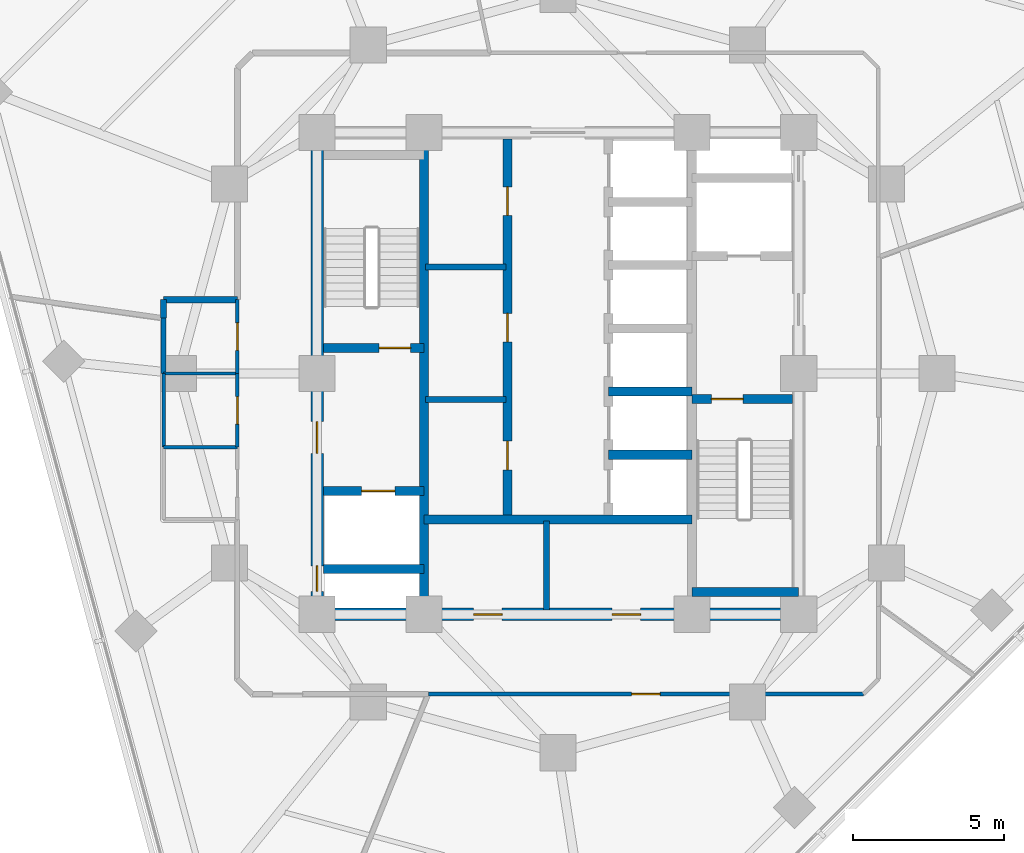
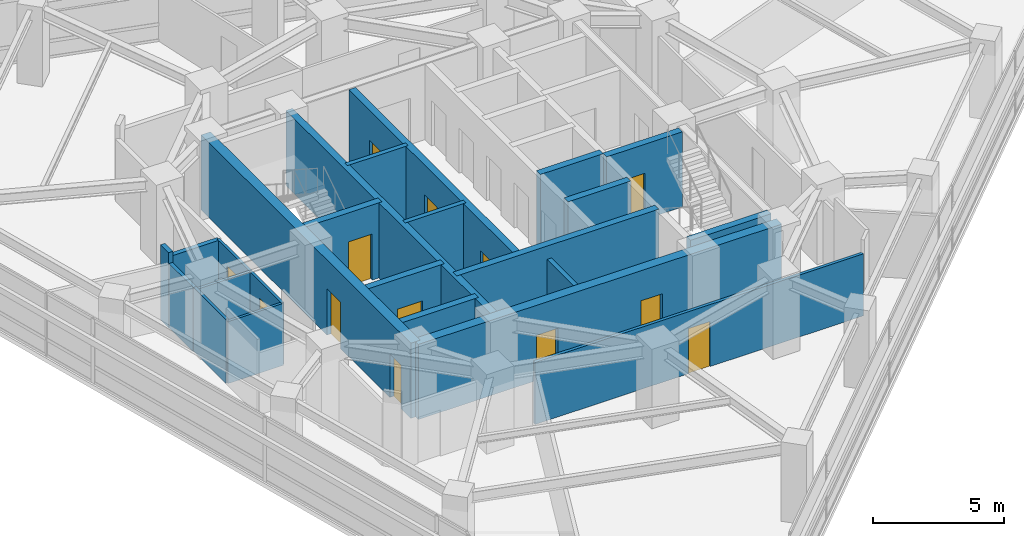
# One storey, part 7 of 13: 24 walls, 13 doors, 13 openings.
"""IFC4 building model written with IfcOpenShell, lengths in metres."""

from ifc_helpers import new_model, si_unit, direction, frame, frame_2d, origin, place, context, subcontext, project, spatial, rectangle, extrude, material, layer, layer_set, type_object, element, fill, save


model = new_model("IFC4")

# Units and contexts
model_context = context("Model", 3, precision=1e-05, world=origin(), true_north=direction((0.0, 1.0)))
body_context = subcontext(model_context, "Body", "Model", "MODEL_VIEW")
ifc_project = project(units=[si_unit("LENGTHUNIT", "METRE"), si_unit("AREAUNIT", "SQUARE_METRE"), si_unit("VOLUMEUNIT", "CUBIC_METRE"), si_unit("PLANEANGLEUNIT", "RADIAN"), si_unit("MASSUNIT", "GRAM", prefix="KILO")], contexts=[model_context])

# Site, building, storey
site_placement = place(None, origin())
site = spatial("IfcSite", under=ifc_project, at=site_placement, CompositionType="ELEMENT")
building_placement = place(site_placement, origin())
building = spatial("IfcBuilding", under=site, at=building_placement, Name="Terralouvre Media Tower", CompositionType="ELEMENT")
storey_placement = place(building_placement, frame((0.0, 0.0, 195.300048828125)))
storey = spatial("IfcBuildingStorey", under=building, at=storey_placement, Name="L50", CompositionType="ELEMENT", Elevation=195.300048828125)

# Wall
ifc_material_1 = material(Name="Concrete C50/60", Category="concrete")
ifc_layer_1 = layer(ifc_material_1, 0.300048828125, Name="Core Internal Shaft Wall CW-300")
ifc_layer_set_1 = layer_set([ifc_layer_1], Name="Concrete C50/60")
wall_type_1 = type_object("IfcWallType", Name="Core Internal Shaft Wall CW-300", PredefinedType="SHEAR", material=ifc_layer_set_1)
wall_1_placement = place(storey_placement, frame((-4.449951171875, -7.7900390625, 0.0), z_axis=(0.0, 0.0, 1.0), x_axis=(0.0, 1.0, 0.0)))
element("IfcWall", 1, at=wall_1_placement, inside=storey, type_object=wall_type_1, Name="L50 Core Shaft Wall SPW", PredefinedType="SHEAR", context=body_context, shape_type="SweptSolid", body=[
    extrude(rectangle(XDim=15.580078125, YDim=0.300048828125, at=frame_2d((7.7900390625, 0.0))), origin(), (0.0, 0.0, 1.0), 3.5),
])

# Wall, opening, door
wall_2_placement = place(storey_placement, frame((-7.7900390625, 0.85009765625, 0.0), z_axis=(0.0, 0.0, 1.0), x_axis=(1.0, 0.0, 0.0)))
wall_2 = element("IfcWall", 2, at=wall_2_placement, inside=storey, type_object=wall_type_1, Name="L50 Core Shaft Wall ST1D", PredefinedType="SHEAR", context=body_context, shape_type="SweptSolid", body=[
    extrude(rectangle(XDim=3.340087890625, YDim=0.300048828125, at=frame_2d((1.669921875, 0.0))), origin(), (0.0, 0.0, 1.0), 3.5),
])
opening_1_placement = place(wall_2_placement, frame((1.85009765625, 0.0, 0.0)))
opening_1 = element("IfcOpeningElement", 3, at=opening_1_placement, cuts=wall_2, Name="Opening FD-01-105X215", PredefinedType="OPENING", context=body_context, shape_type="SweptSolid", body=[
    extrude(rectangle(XDim=1.050048828125, YDim=2.14990234375, at=frame_2d((0.52490234375, 1.074951171875))), frame((0.0, 0.159912109375, 0.0), z_axis=(0.0, -1.0, 0.0), x_axis=(1.0, 0.0, 0.0)), (0.0, 0.0, 1.0), 0.320068359375),
])
ifc_material_2 = material(Name="Galvanised steel fire-resisting leaf", Category="steel")
door_type_1 = type_object("IfcDoorType", Name="Stair and Firefighting Lobby Fire Door FD-01 (1050x2150)", OperationType="NOTDEFINED", PredefinedType="DOOR", material=ifc_material_2)
door_1_placement = place(opening_1_placement, origin())
door_1 = element("IfcDoor", 4, at=door_1_placement, inside=storey, type_object=door_type_1, Name="L50 ST-01 Exit Stair Door", OperationType="SINGLE_SWING_LEFT", OverallHeight=2.14990234375, OverallWidth=1.050048828125, PredefinedType="DOOR", context=body_context, shape_type="SweptSolid", body=[
    extrude(rectangle(XDim=1.050048828125, YDim=2.14990234375, at=frame_2d((0.52490234375, 1.074951171875))), frame((0.0, 0.02490234375, 0.0), z_axis=(0.0, -1.0, 0.0), x_axis=(1.0, 0.0, 0.0)), (0.0, 0.0, 1.0), 0.050048828125),
])
fill(opening_1, door_1)

wall_3_placement = place(storey_placement, frame((4.449951171875, -0.85009765625, 0.0), z_axis=(0.0, 0.0, 1.0), x_axis=(1.0, 0.0, 0.0)))
wall_3 = element("IfcWall", 5, at=wall_3_placement, inside=storey, type_object=wall_type_1, Name="L50 Core Shaft Wall ST2D", PredefinedType="SHEAR", context=body_context, shape_type="SweptSolid", body=[
    extrude(rectangle(XDim=3.340087890625, YDim=0.300048828125, at=frame_2d((1.669921875, 0.0))), origin(), (0.0, 0.0, 1.0), 3.5),
])
opening_2_placement = place(wall_3_placement, frame((0.64990234375, 0.0, 0.0)))
opening_2 = element("IfcOpeningElement", 6, at=opening_2_placement, cuts=wall_3, Name="Opening FD-01-105X215", PredefinedType="OPENING", context=body_context, shape_type="SweptSolid", body=[
    extrude(rectangle(XDim=1.050048828125, YDim=2.14990234375, at=frame_2d((0.52490234375, 1.074951171875))), frame((0.0, 0.159912109375, 0.0), z_axis=(0.0, -1.0, 0.0), x_axis=(1.0, 0.0, 0.0)), (0.0, 0.0, 1.0), 0.320068359375),
])
door_2_placement = place(opening_2_placement, origin())
door_2 = element("IfcDoor", 7, at=door_2_placement, inside=storey, type_object=door_type_1, Name="L50 ST-02 Exit Stair Door", OperationType="SINGLE_SWING_RIGHT", OverallHeight=2.14990234375, OverallWidth=1.050048828125, PredefinedType="DOOR", context=body_context, shape_type="SweptSolid", body=[
    extrude(rectangle(XDim=1.050048828125, YDim=2.14990234375, at=frame_2d((0.52490234375, 1.074951171875))), frame((0.0, 0.02490234375, 0.0), z_axis=(0.0, -1.0, 0.0), x_axis=(1.0, 0.0, 0.0)), (0.0, 0.0, 1.0), 0.050048828125),
])
fill(opening_2, door_2)

# Wall
wall_4_placement = place(storey_placement, frame((4.449951171875, -7.260009765625, 0.0), z_axis=(0.0, 0.0, 1.0), x_axis=(1.0, 0.0, 0.0)))
element("IfcWall", 8, at=wall_4_placement, inside=storey, type_object=wall_type_1, Name="L50 Core Shaft Wall ST2F", PredefinedType="SHEAR", context=body_context, shape_type="SweptSolid", body=[
    extrude(rectangle(XDim=3.550048828125, YDim=0.300048828125, at=frame_2d((1.77490234375, 0.0))), origin(), (0.0, 0.0, 1.0), 3.5),
])

# Wall, opening, door
wall_5_placement = place(storey_placement, frame((-7.7900390625, -3.89990234375, 0.0), z_axis=(0.0, 0.0, 1.0), x_axis=(1.0, 0.0, 0.0)))
wall_5 = element("IfcWall", 9, at=wall_5_placement, inside=storey, type_object=wall_type_1, Name="L50 Core Shaft Wall FF1N", PredefinedType="SHEAR", context=body_context, shape_type="SweptSolid", body=[
    extrude(rectangle(XDim=3.340087890625, YDim=0.300048828125, at=frame_2d((1.669921875, 0.0))), origin(), (0.0, 0.0, 1.0), 3.5),
])
opening_3_placement = place(wall_5_placement, frame((1.27001953125, 0.0, 0.0)))
opening_3 = element("IfcOpeningElement", 10, at=opening_3_placement, cuts=wall_5, Name="Opening LD-FF", PredefinedType="OPENING", context=body_context, shape_type="SweptSolid", body=[
    extrude(rectangle(XDim=1.10009765625, YDim=2.10009765625, at=frame_2d((0.550048828125, 1.050048828125))), frame((0.0, 0.159912109375, 0.0), z_axis=(0.0, -1.0, 0.0), x_axis=(1.0, 0.0, 0.0)), (0.0, 0.0, 1.0), 0.320068359375),
])
ifc_material_3 = material(Name="Stainless steel 316 handrail and balustrade", Category="steel")
door_type_2 = type_object("IfcDoorType", Name="Firefighting Lift Sliding Landing Door LD-FF", OperationType="SLIDING_TO_LEFT", PredefinedType="DOOR", material=ifc_material_3)
door_3_placement = place(opening_3_placement, origin())
door_3 = element("IfcDoor", 11, at=door_3_placement, inside=storey, type_object=door_type_2, Name="L50 Firefighting Lift FFL-01 Landing Door", OperationType="SLIDING_TO_LEFT", OverallHeight=2.10009765625, OverallWidth=1.10009765625, PredefinedType="DOOR", context=body_context, shape_type="SweptSolid", body=[
    extrude(rectangle(XDim=1.10009765625, YDim=2.10009765625, at=frame_2d((0.550048828125, 1.050048828125))), frame((0.0, 0.02490234375, 0.0), z_axis=(0.0, -1.0, 0.0), x_axis=(1.0, 0.0, 0.0)), (0.0, 0.0, 1.0), 0.050048828125),
])
fill(opening_3, door_3)

# Walls
wall_6_placement = place(storey_placement, frame((-7.7900390625, -6.5, 0.0), z_axis=(0.0, 0.0, 1.0), x_axis=(1.0, 0.0, 0.0)))
element("IfcWall", 12, at=wall_6_placement, inside=storey, type_object=wall_type_1, Name="L50 Core Shaft Wall FF1S", PredefinedType="SHEAR", context=body_context, shape_type="SweptSolid", body=[
    extrude(rectangle(XDim=3.340087890625, YDim=0.300048828125, at=frame_2d((1.669921875, 0.0))), origin(), (0.0, 0.0, 1.0), 3.5),
])
wall_7_placement = place(storey_placement, frame((-4.449951171875, -4.85009765625, 0.0), z_axis=(0.0, 0.0, 1.0), x_axis=(1.0, 0.0, 0.0)))
element("IfcWall", 13, at=wall_7_placement, inside=storey, type_object=wall_type_1, Name="L50 Core Shaft Wall CSBN", PredefinedType="SHEAR", context=body_context, shape_type="SweptSolid", body=[
    extrude(rectangle(XDim=8.89990234375, YDim=0.300048828125, at=frame_2d((4.449951171875, 0.0))), origin(), (0.0, 0.0, 1.0), 3.5),
])

# Wall, openings, doors
wall_8_placement = place(storey_placement, frame((-1.679931640625, -4.85009765625, 0.0), z_axis=(0.0, 0.0, 1.0), x_axis=(0.0, 1.0, 0.0)))
wall_8 = element("IfcWall", 14, at=wall_8_placement, inside=storey, type_object=wall_type_1, Name="L50 Core Shaft Wall LBW", PredefinedType="SHEAR", context=body_context, shape_type="SweptSolid", body=[
    extrude(rectangle(XDim=12.64013671875, YDim=0.300048828125, at=frame_2d((6.320068359375, 0.0))), origin(), (0.0, 0.0, 1.0), 3.5),
])
opening_4_placement = place(wall_8_placement, frame((1.64990234375, 0.0, 0.0)))
opening_4 = element("IfcOpeningElement", 15, at=opening_4_placement, cuts=wall_8, Name="Opening FD-02-95X210", PredefinedType="OPENING", context=body_context, shape_type="SweptSolid", body=[
    extrude(rectangle(XDim=0.949951171875, YDim=2.10009765625, at=frame_2d((0.47509765625, 1.050048828125))), frame((0.0, 0.159912109375, 0.0), z_axis=(0.0, -1.0, 0.0), x_axis=(1.0, 0.0, 0.0)), (0.0, 0.0, 1.0), 0.320068359375),
])
opening_5_placement = place(wall_8_placement, frame((5.89990234375, 0.0, 0.0)))
opening_5 = element("IfcOpeningElement", 16, at=opening_5_placement, cuts=wall_8, Name="Opening SD-02", PredefinedType="OPENING", context=body_context, shape_type="SweptSolid", body=[
    extrude(rectangle(XDim=0.949951171875, YDim=2.10009765625, at=frame_2d((0.47509765625, 1.050048828125))), frame((0.0, 0.159912109375, 0.0), z_axis=(0.0, -1.0, 0.0), x_axis=(1.0, 0.0, 0.0)), (0.0, 0.0, 1.0), 0.320068359375),
])
opening_6_placement = place(wall_8_placement, frame((10.10009765625, 0.0, 0.0)))
opening_6 = element("IfcOpeningElement", 17, at=opening_6_placement, cuts=wall_8, Name="Opening FD-02-95X210", PredefinedType="OPENING", context=body_context, shape_type="SweptSolid", body=[
    extrude(rectangle(XDim=0.949951171875, YDim=2.10009765625, at=frame_2d((0.47509765625, 1.050048828125))), frame((0.0, 0.159912109375, 0.0), z_axis=(0.0, -1.0, 0.0), x_axis=(1.0, 0.0, 0.0)), (0.0, 0.0, 1.0), 0.320068359375),
])
ifc_material_4 = material(Name="Galvanised steel fire-resisting leaf", Category="steel")
door_type_3 = type_object("IfcDoorType", Name="Core Service Sliding Fire Door SD-02", OperationType="SLIDING_TO_LEFT", PredefinedType="DOOR", material=ifc_material_4)
door_4_placement = place(opening_5_placement, origin())
door_4 = element("IfcDoor", 18, at=door_4_placement, inside=storey, type_object=door_type_3, Name="L50 Core Pantry Store Door", OperationType="SLIDING_TO_LEFT", OverallHeight=2.10009765625, OverallWidth=0.949951171875, PredefinedType="DOOR", context=body_context, shape_type="SweptSolid", body=[
    extrude(rectangle(XDim=0.949951171875, YDim=2.10009765625, at=frame_2d((0.47509765625, 1.050048828125))), frame((0.0, 0.02490234375, 0.0), z_axis=(0.0, -1.0, 0.0), x_axis=(1.0, 0.0, 0.0)), (0.0, 0.0, 1.0), 0.050048828125),
])
fill(opening_5, door_4)
ifc_material_5 = material(Name="Galvanised steel fire-resisting leaf", Category="steel")
door_type_4 = type_object("IfcDoorType", Name="Plant and Riser Fire Door FD-02 (950x2100)", OperationType="NOTDEFINED", PredefinedType="DOOR", material=ifc_material_5)
door_5_placement = place(opening_4_placement, origin())
door_5 = element("IfcDoor", 19, at=door_5_placement, inside=storey, type_object=door_type_4, Name="L50 Core UPS Switch Plant Door", OperationType="SINGLE_SWING_LEFT", OverallHeight=2.10009765625, OverallWidth=0.949951171875, PredefinedType="DOOR", context=body_context, shape_type="SweptSolid", body=[
    extrude(rectangle(XDim=0.949951171875, YDim=2.10009765625, at=frame_2d((0.47509765625, 1.050048828125))), frame((0.0, 0.02490234375, 0.0), z_axis=(0.0, -1.0, 0.0), x_axis=(1.0, 0.0, 0.0)), (0.0, 0.0, 1.0), 0.050048828125),
])
fill(opening_4, door_5)
door_6_placement = place(opening_6_placement, origin())
door_6 = element("IfcDoor", 20, at=door_6_placement, inside=storey, type_object=door_type_4, Name="L50 Core Edge Server Plant Door", OperationType="SINGLE_SWING_RIGHT", OverallHeight=2.10009765625, OverallWidth=0.949951171875, PredefinedType="DOOR", context=body_context, shape_type="SweptSolid", body=[
    extrude(rectangle(XDim=0.949951171875, YDim=2.10009765625, at=frame_2d((0.47509765625, 1.050048828125))), frame((0.0, 0.02490234375, 0.0), z_axis=(0.0, -1.0, 0.0), x_axis=(1.0, 0.0, 0.0)), (0.0, 0.0, 1.0), 0.050048828125),
])
fill(opening_6, door_6)

# Walls
for number, where, z_axis, x_axis, name in (
    (21, (1.679931640625, -2.699951171875, 0.0), (0.0, 0.0, 1.0), (1.0, 0.0, 0.0), "L50 Core Shaft Wall PLHD1"),
    (22, (1.679931640625, -0.60009765625, 0.0), (0.0, 0.0, 1.0), (1.0, 0.0, 0.0), "L50 Core Shaft Wall PLHD2"),
):
    element("IfcWall", number, at=place(storey_placement, frame(where, z_axis=z_axis, x_axis=x_axis)), inside=storey, type_object=wall_type_1, Name=name, PredefinedType="SHEAR", context=body_context, shape_type="SweptSolid", body=[
        extrude(rectangle(XDim=2.77001953125, YDim=0.300048828125, at=frame_2d((1.385009765625, 0.0))), origin(), (0.0, 0.0, 1.0), 3.5),
    ])

# Wall, openings, doors
ifc_material_6 = material(Name="Concrete C60/75", Category="concrete")
ifc_layer_2 = layer(ifc_material_6, 0.419921875, Name="Core Reinforced Concrete Shear Wall CW-420")
ifc_layer_set_2 = layer_set([ifc_layer_2], Name="Concrete C60/75")
wall_type_2 = type_object("IfcWallType", Name="Core Reinforced Concrete Shear Wall CW-420", PredefinedType="SHEAR", material=ifc_layer_set_2)
wall_9_placement = place(storey_placement, frame((-8.0, -8.0, 0.0), z_axis=(0.0, 0.0, 1.0), x_axis=(0.0, 1.0, 0.0)))
wall_9 = element("IfcWall", 23, at=wall_9_placement, inside=storey, type_object=wall_type_2, Name="L50 W Core Shear Wall", PredefinedType="SHEAR", context=body_context, shape_type="SweptSolid", body=[
    extrude(rectangle(XDim=16.0, YDim=0.419921875, at=frame_2d((8.0, 0.0))), origin(), (0.0, 0.0, 1.0), 3.5),
])
opening_7_placement = place(wall_9_placement, frame((0.76123046875, 0.0, 0.0)))
opening_7 = element("IfcOpeningElement", 24, at=opening_7_placement, cuts=wall_9, Name="Opening TD-R1", PredefinedType="OPENING", context=body_context, shape_type="SweptSolid", body=[
    extrude(rectangle(XDim=0.85009765625, YDim=2.02001953125, at=frame_2d((0.425048828125, 1.010009765625))), frame((0.0, 0.219970703125, 0.0), z_axis=(0.0, -1.0, 0.0), x_axis=(1.0, 0.0, 0.0)), (0.0, 0.0, 1.0), 0.43994140625),
])
opening_8_placement = place(wall_9_placement, frame((5.35009765625, 0.0, 0.0)))
opening_8 = element("IfcOpeningElement", 25, at=opening_8_placement, cuts=wall_9, Name="Opening FD-01-105X215", PredefinedType="OPENING", context=body_context, shape_type="SweptSolid", body=[
    extrude(rectangle(XDim=1.050048828125, YDim=2.14990234375, at=frame_2d((0.52490234375, 1.074951171875))), frame((0.0, 0.219970703125, 0.0), z_axis=(0.0, -1.0, 0.0), x_axis=(1.0, 0.0, 0.0)), (0.0, 0.0, 1.0), 0.43994140625),
])
ifc_material_7 = material(Name="Galvanised steel fire-resisting leaf", Category="steel")
door_type_5 = type_object("IfcDoorType", Name="Riser Inspection Access Trapdoor TD-R1", OperationType="NOTDEFINED", PredefinedType="TRAPDOOR", material=ifc_material_7)
door_7_placement = place(opening_7_placement, origin())
door_7 = element("IfcDoor", 26, at=door_7_placement, inside=storey, type_object=door_type_5, Name="L50 Wet Riser Access Trapdoor", OperationType="SINGLE_SWING_LEFT", OverallHeight=2.02001953125, OverallWidth=0.85009765625, PredefinedType="TRAPDOOR", context=body_context, shape_type="SweptSolid", body=[
    extrude(rectangle(XDim=0.85009765625, YDim=2.02001953125, at=frame_2d((0.425048828125, 1.010009765625))), frame((0.0, 0.02490234375, 0.0), z_axis=(0.0, -1.0, 0.0), x_axis=(1.0, 0.0, 0.0)), (0.0, 0.0, 1.0), 0.050048828125),
])
fill(opening_7, door_7)
door_8_placement = place(opening_8_placement, origin())
door_8 = element("IfcDoor", 27, at=door_8_placement, inside=storey, type_object=door_type_1, Name="L50 West Firefighting Lobby Entry Door", OperationType="SINGLE_SWING_RIGHT", OverallHeight=2.14990234375, OverallWidth=1.050048828125, PredefinedType="DOOR", context=body_context, shape_type="SweptSolid", body=[
    extrude(rectangle(XDim=1.050048828125, YDim=2.14990234375, at=frame_2d((0.52490234375, 1.074951171875))), frame((0.0, 0.02490234375, 0.0), z_axis=(0.0, -1.0, 0.0), x_axis=(1.0, 0.0, 0.0)), (0.0, 0.0, 1.0), 0.050048828125),
])
fill(opening_8, door_8)

wall_10_placement = place(storey_placement, frame((-8.0, -8.0, 0.0), z_axis=(0.0, 0.0, 1.0), x_axis=(1.0, 0.0, 0.0)))
wall_10 = element("IfcWall", 28, at=wall_10_placement, inside=storey, type_object=wall_type_2, Name="L50 S Core Shear Wall", PredefinedType="SHEAR", context=body_context, shape_type="SweptSolid", body=[
    extrude(rectangle(XDim=16.0, YDim=0.419921875, at=frame_2d((8.0, 0.0))), origin(), (0.0, 0.0, 1.0), 3.5),
])
opening_9_placement = place(wall_10_placement, frame((5.199951171875, 0.0, 0.0)))
opening_9 = element("IfcOpeningElement", 29, at=opening_9_placement, cuts=wall_10, Name="Opening FD-02-95X210", PredefinedType="OPENING", context=body_context, shape_type="SweptSolid", body=[
    extrude(rectangle(XDim=0.949951171875, YDim=2.10009765625, at=frame_2d((0.47509765625, 1.050048828125))), frame((0.0, 0.219970703125, 0.0), z_axis=(0.0, -1.0, 0.0), x_axis=(1.0, 0.0, 0.0)), (0.0, 0.0, 1.0), 0.43994140625),
])
opening_10_placement = place(wall_10_placement, frame((9.800048828125, 0.0, 0.0)))
opening_10 = element("IfcOpeningElement", 30, at=opening_10_placement, cuts=wall_10, Name="Opening FD-02-95X210", PredefinedType="OPENING", context=body_context, shape_type="SweptSolid", body=[
    extrude(rectangle(XDim=0.949951171875, YDim=2.10009765625, at=frame_2d((0.47509765625, 1.050048828125))), frame((0.0, 0.219970703125, 0.0), z_axis=(0.0, -1.0, 0.0), x_axis=(1.0, 0.0, 0.0)), (0.0, 0.0, 1.0), 0.43994140625),
])
door_9_placement = place(opening_9_placement, origin())
door_9 = element("IfcDoor", 31, at=door_9_placement, inside=storey, type_object=door_type_4, Name="L50 Core Valve Plant Door", OperationType="SINGLE_SWING_LEFT", OverallHeight=2.10009765625, OverallWidth=0.949951171875, PredefinedType="DOOR", context=body_context, shape_type="SweptSolid", body=[
    extrude(rectangle(XDim=0.949951171875, YDim=2.10009765625, at=frame_2d((0.47509765625, 1.050048828125))), frame((0.0, 0.02490234375, 0.0), z_axis=(0.0, -1.0, 0.0), x_axis=(1.0, 0.0, 0.0)), (0.0, 0.0, 1.0), 0.050048828125),
])
fill(opening_9, door_9)
door_10_placement = place(opening_10_placement, origin())
door_10 = element("IfcDoor", 32, at=door_10_placement, inside=storey, type_object=door_type_4, Name="L50 Core MDF Plant Door", OperationType="SINGLE_SWING_RIGHT", OverallHeight=2.10009765625, OverallWidth=0.949951171875, PredefinedType="DOOR", context=body_context, shape_type="SweptSolid", body=[
    extrude(rectangle(XDim=0.949951171875, YDim=2.10009765625, at=frame_2d((0.47509765625, 1.050048828125))), frame((0.0, 0.02490234375, 0.0), z_axis=(0.0, -1.0, 0.0), x_axis=(1.0, 0.0, 0.0)), (0.0, 0.0, 1.0), 0.050048828125),
])
fill(opening_10, door_10)

# Walls
ifc_material_8 = material(Name="Fire-rated gypsum board drywall partition")
ifc_layer_3 = layer(ifc_material_8, 0.199951171875, Name="Fire-Rated Shaft and Lobby Partition FW-200")
ifc_layer_set_3 = layer_set([ifc_layer_3], Name="Fire-rated gypsum board drywall partition")
wall_type_3 = type_object("IfcWallType", Name="Fire-Rated Shaft and Lobby Partition FW-200", PredefinedType="SOLIDWALL", material=ifc_layer_set_3)
wall_11_placement = place(storey_placement, frame((-0.3798828125, -7.85009765625, 0.0), z_axis=(0.0, 0.0, 1.0), x_axis=(0.0, 1.0, 0.0)))
element("IfcWall", 33, at=wall_11_placement, inside=storey, type_object=wall_type_3, Name="L50 Core Service Bay Partition 1", PredefinedType="SOLIDWALL", context=body_context, shape_type="SweptSolid", body=[
    extrude(rectangle(XDim=2.9501953125, YDim=0.199951171875, at=frame_2d((1.47509765625, 0.0))), origin(), (0.0, 0.0, 1.0), 2.885009765625),
])
for number, where, z_axis, x_axis, name in (
    (34, (-4.39990234375, -0.860107421875, 0.0), (0.0, 0.0, 1.0), (1.0, 0.0, 0.0), "L50 Core West Sub-Partition 1"),
    (35, (-4.39990234375, 3.5400390625, 0.0), (0.0, 0.0, 1.0), (1.0, 0.0, 0.0), "L50 Core West Sub-Partition 2"),
):
    element("IfcWall", number, at=place(storey_placement, frame(where, z_axis=z_axis, x_axis=x_axis)), inside=storey, type_object=wall_type_3, Name=name, PredefinedType="SOLIDWALL", context=body_context, shape_type="SweptSolid", body=[
        extrude(rectangle(XDim=2.679931640625, YDim=0.199951171875, at=frame_2d((1.33984375, 0.0))), origin(), (0.0, 0.0, 1.0), 3.5),
    ])
wall_12_placement = place(storey_placement, frame((-13.10009765625, 1.841064453125, 0.0), z_axis=(0.0, 0.0, 1.0), x_axis=(0.0, 1.0, 0.0)))
element("IfcWall", 36, at=wall_12_placement, inside=storey, type_object=wall_type_3, Name="L50 Interior Partition 028", PredefinedType="SOLIDWALL", context=body_context, shape_type="SweptSolid", body=[
    extrude(rectangle(XDim=0.60888671875, YDim=0.199951171875, at=frame_2d((0.304443359375, 0.0))), origin(), (0.0, 0.0, 1.0), 3.5),
])
wall_13_placement = place(storey_placement, frame((-13.10009765625, 2.449951171875, 0.0), z_axis=(0.0, 0.0, 1.0), x_axis=(1.0, 0.0, 0.0)))
element("IfcWall", 37, at=wall_13_placement, inside=storey, type_object=wall_type_3, Name="L50 Interior Partition 029", PredefinedType="SOLIDWALL", context=body_context, shape_type="SweptSolid", body=[
    extrude(rectangle(XDim=2.4501953125, YDim=0.199951171875, at=frame_2d((1.22509765625, 0.0))), origin(), (0.0, 0.0, 1.0), 2.885009765625),
])

# Wall, opening, door
ifc_material_9 = material(Name="Fire-rated gypsum board drywall partition")
ifc_layer_4 = layer(ifc_material_9, 0.135009765625, Name="Newsroom Acoustic Partition PT-135")
ifc_layer_set_4 = layer_set([ifc_layer_4], Name="Fire-rated gypsum board drywall partition")
wall_type_4 = type_object("IfcWallType", Name="Newsroom Acoustic Partition PT-135", PredefinedType="PARTITIONING", material=ifc_layer_set_4)
wall_14_placement = place(storey_placement, frame((-4.302978515625, -10.64990234375, 0.0), z_axis=(0.0, 0.0, 1.0), x_axis=(1.0, 0.0, 0.0)))
wall_14 = element("IfcWall", 38, at=wall_14_placement, inside=storey, type_object=wall_type_4, Name="L50 Interior Partition 006", PredefinedType="PARTITIONING", context=body_context, shape_type="SweptSolid", body=[
    extrude(rectangle(XDim=14.452880859375, YDim=0.135009765625, at=frame_2d((7.2265625, 0.0))), origin(), (0.0, 0.0, 1.0), 2.885009765625),
])
opening_11_placement = place(wall_14_placement, frame((6.75146484375, 0.0, 0.0)))
opening_11 = element("IfcOpeningElement", 39, at=opening_11_placement, cuts=wall_14, Name="Opening ID-02-95X210", PredefinedType="OPENING", context=body_context, shape_type="SweptSolid", body=[
    extrude(rectangle(XDim=0.949951171875, YDim=2.10009765625, at=frame_2d((0.47509765625, 1.050048828125))), frame((0.0, 0.077392578125, 0.0), z_axis=(0.0, -1.0, 0.0), x_axis=(1.0, 0.0, 0.0)), (0.0, 0.0, 1.0), 0.155029296875),
])
ifc_material_10 = material(Name="Engineered hardwood acoustic timber leaf", Category="wood")
door_type_6 = type_object("IfcDoorType", Name="Office and Meeting Room Door ID-02 (950x2100)", OperationType="NOTDEFINED", PredefinedType="DOOR", material=ifc_material_10)
door_11_placement = place(opening_11_placement, origin())
door_11 = element("IfcDoor", 40, at=door_11_placement, inside=storey, type_object=door_type_6, Name="L50 Correspondent Club Lounge 2 Door", OperationType="SINGLE_SWING_LEFT", OverallHeight=2.10009765625, OverallWidth=0.949951171875, PredefinedType="DOOR", context=body_context, shape_type="SweptSolid", body=[
    extrude(rectangle(XDim=0.949951171875, YDim=2.10009765625, at=frame_2d((0.47509765625, 1.050048828125))), frame((0.0, 0.02490234375, 0.0), z_axis=(0.0, -1.0, 0.0), x_axis=(1.0, 0.0, 0.0)), (0.0, 0.0, 1.0), 0.050048828125),
])
fill(opening_11, door_11)

ifc_material_11 = material(Name="Fire-rated gypsum board drywall partition")
ifc_layer_5 = layer(ifc_material_11, 0.114990234375, Name="Restroom and Pantry Partition PT-115")
ifc_layer_set_5 = layer_set([ifc_layer_5], Name="Fire-rated gypsum board drywall partition")
wall_type_5 = type_object("IfcWallType", Name="Restroom and Pantry Partition PT-115", PredefinedType="PARTITIONING", material=ifc_layer_set_5)
wall_15_placement = place(storey_placement, frame((-10.64990234375, 0.0, 0.0), z_axis=(0.0, 0.0, 1.0), x_axis=(0.0, -1.0, 0.0)))
wall_15 = element("IfcWall", 41, at=wall_15_placement, inside=storey, type_object=wall_type_5, Name="L50 Interior Partition 001", PredefinedType="PARTITIONING", context=body_context, shape_type="SweptSolid", body=[
    extrude(rectangle(XDim=2.449951171875, YDim=0.114990234375, at=frame_2d((1.22509765625, 0.0))), origin(), (0.0, 0.0, 1.0), 2.885009765625),
])
opening_12_placement = place(wall_15_placement, frame((0.764892578125, 0.0, 0.0)))
opening_12 = element("IfcOpeningElement", 42, at=opening_12_placement, cuts=wall_15, Name="Opening ID-03-92X210", PredefinedType="OPENING", context=body_context, shape_type="SweptSolid", body=[
    extrude(rectangle(XDim=0.919921875, YDim=2.10009765625, at=frame_2d((0.4599609375, 1.050048828125))), frame((0.0, 0.0673828125, 0.0), z_axis=(0.0, -1.0, 0.0), x_axis=(1.0, 0.0, 0.0)), (0.0, 0.0, 1.0), 0.135009765625),
])
ifc_material_12 = material(Name="Engineered hardwood acoustic timber leaf", Category="wood")
door_type_7 = type_object("IfcDoorType", Name="Accessible Restroom and Suite Door ID-03 (920x2100)", OperationType="NOTDEFINED", PredefinedType="DOOR", material=ifc_material_12)
door_12_placement = place(opening_12_placement, origin())
door_12 = element("IfcDoor", 43, at=door_12_placement, inside=storey, type_object=door_type_7, Name="L50 Female Restroom WC Door", OperationType="SINGLE_SWING_RIGHT", OverallHeight=2.10009765625, OverallWidth=0.919921875, PredefinedType="DOOR", context=body_context, shape_type="SweptSolid", body=[
    extrude(rectangle(XDim=0.919921875, YDim=2.10009765625, at=frame_2d((0.4599609375, 1.050048828125))), frame((0.0, 0.02490234375, 0.0), z_axis=(0.0, -1.0, 0.0), x_axis=(1.0, 0.0, 0.0)), (0.0, 0.0, 1.0), 0.050048828125),
])
fill(opening_12, door_12)

wall_16_placement = place(storey_placement, frame((-10.64990234375, 2.449951171875, 0.0), z_axis=(0.0, 0.0, 1.0), x_axis=(0.0, -1.0, 0.0)))
wall_16 = element("IfcWall", 44, at=wall_16_placement, inside=storey, type_object=wall_type_5, Name="L50 Interior Partition 016", PredefinedType="PARTITIONING", context=body_context, shape_type="SweptSolid", body=[
    extrude(rectangle(XDim=2.449951171875, YDim=0.114990234375, at=frame_2d((1.22509765625, 0.0))), origin(), (0.0, 0.0, 1.0), 2.885009765625),
])
opening_13_placement = place(wall_16_placement, frame((0.764892578125, 0.0, 0.0)))
opening_13 = element("IfcOpeningElement", 45, at=opening_13_placement, cuts=wall_16, Name="Opening ID-03-92X210", PredefinedType="OPENING", context=body_context, shape_type="SweptSolid", body=[
    extrude(rectangle(XDim=0.919921875, YDim=2.10009765625, at=frame_2d((0.4599609375, 1.050048828125))), frame((0.0, 0.0673828125, 0.0), z_axis=(0.0, -1.0, 0.0), x_axis=(1.0, 0.0, 0.0)), (0.0, 0.0, 1.0), 0.135009765625),
])
door_13_placement = place(opening_13_placement, origin())
door_13 = element("IfcDoor", 46, at=door_13_placement, inside=storey, type_object=door_type_7, Name="L50 Accessible Unisex WC Door", OperationType="SINGLE_SWING_RIGHT", OverallHeight=2.10009765625, OverallWidth=0.919921875, PredefinedType="DOOR", context=body_context, shape_type="SweptSolid", body=[
    extrude(rectangle(XDim=0.919921875, YDim=2.10009765625, at=frame_2d((0.4599609375, 1.050048828125))), frame((0.0, 0.02490234375, 0.0), z_axis=(0.0, -1.0, 0.0), x_axis=(1.0, 0.0, 0.0)), (0.0, 0.0, 1.0), 0.050048828125),
])
fill(opening_13, door_13)

# Walls
wall_17_placement = place(storey_placement, frame((-13.10009765625, -2.449951171875, 0.0), z_axis=(0.0, 0.0, 1.0), x_axis=(1.0, 0.0, 0.0)))
element("IfcWall", 47, at=wall_17_placement, inside=storey, type_object=wall_type_5, Name="L50 Interior Partition 017", PredefinedType="PARTITIONING", context=body_context, shape_type="SweptSolid", body=[
    extrude(rectangle(XDim=2.4501953125, YDim=0.114990234375, at=frame_2d((1.22509765625, 0.0))), origin(), (0.0, 0.0, 1.0), 2.885009765625),
])
wall_18_placement = place(storey_placement, frame((-13.10009765625, 0.0, 0.0), z_axis=(0.0, 0.0, 1.0), x_axis=(0.0, -1.0, 0.0)))
element("IfcWall", 48, at=wall_18_placement, inside=storey, type_object=wall_type_5, Name="L50 Interior Partition 018", PredefinedType="PARTITIONING", context=body_context, shape_type="SweptSolid", body=[
    extrude(rectangle(XDim=2.449951171875, YDim=0.114990234375, at=frame_2d((1.22509765625, 0.0))), origin(), (0.0, 0.0, 1.0), 2.98486328125),
])
wall_19_placement = place(storey_placement, frame((-10.64990234375, 0.0, 0.0), z_axis=(0.0, 0.0, 1.0), x_axis=(-1.0, 0.0, 0.0)))
element("IfcWall", 49, at=wall_19_placement, inside=storey, type_object=wall_type_5, Name="L50 Interior Partition 019", PredefinedType="PARTITIONING", context=body_context, shape_type="SweptSolid", body=[
    extrude(rectangle(XDim=2.4501953125, YDim=0.114990234375, at=frame_2d((1.22509765625, 0.0))), origin(), (0.0, 0.0, 1.0), 2.885009765625),
])
ifc_material_13 = material(Name="Fire-rated gypsum board drywall partition")
ifc_layer_6 = layer(ifc_material_13, 0.159912109375, Name="Studio Acoustic Rated Partition PT-160")
ifc_layer_set_6 = layer_set([ifc_layer_6], Name="Fire-rated gypsum board drywall partition")
wall_type_6 = type_object("IfcWallType", Name="Studio Acoustic Rated Partition PT-160", PredefinedType="PARTITIONING", material=ifc_layer_set_6)
wall_20_placement = place(storey_placement, frame((-13.10009765625, 0.0, 0.0), z_axis=(0.0, 0.0, 1.0), x_axis=(0.0, 1.0, 0.0)))
element("IfcWall", 50, at=wall_20_placement, inside=storey, type_object=wall_type_6, Name="L50 Interior Partition 024", PredefinedType="PARTITIONING", context=body_context, shape_type="SweptSolid", body=[
    extrude(rectangle(XDim=1.841064453125, YDim=0.159912109375, at=frame_2d((0.92041015625, 0.0))), origin(), (0.0, 0.0, 1.0), 2.98486328125),
])

save(model, "model.ifc")
